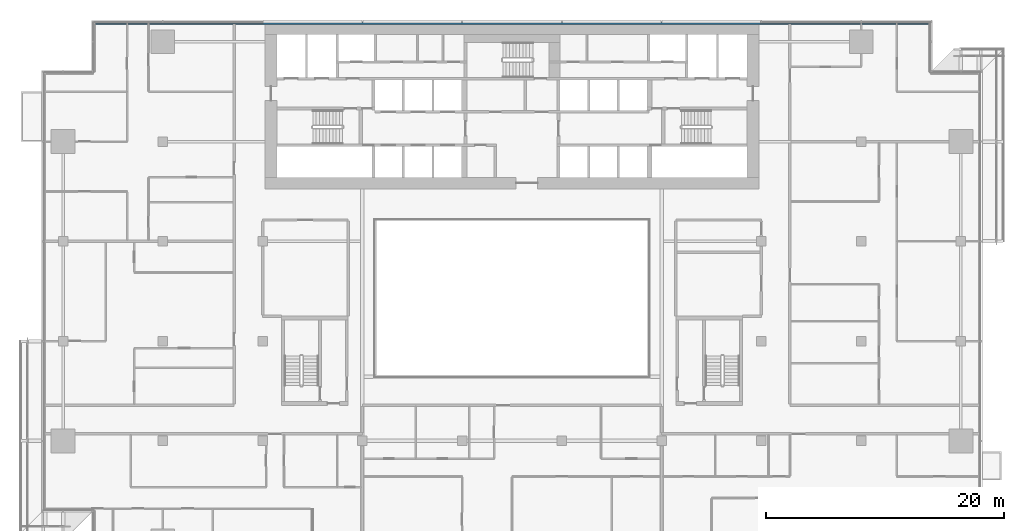
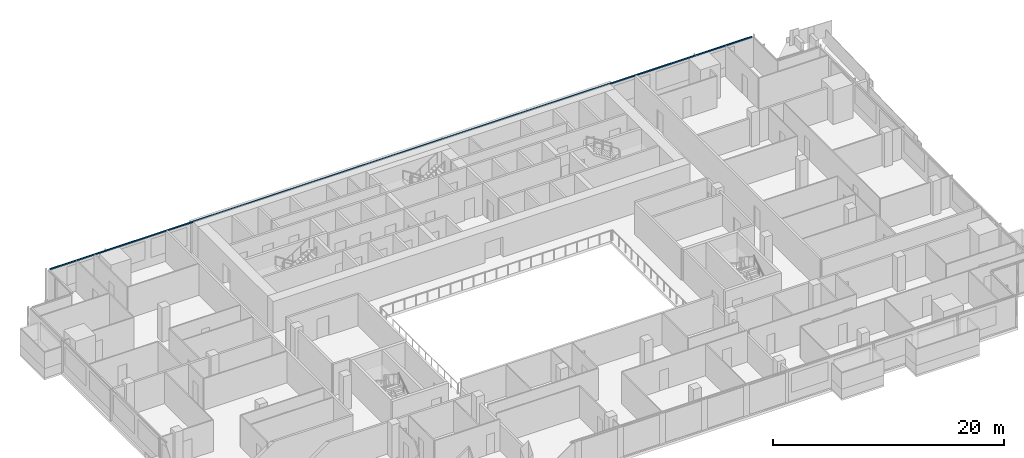
# One storey, part 9 of 29: 1 member, 1 element without a shape of its own.
"""IFC4 building model written with IfcOpenShell, lengths in metres."""

from ifc_helpers import new_model, si_unit, direction, frame, origin, origin_2d, place, context, subcontext, project, spatial, rectangle, extrude, material, material_profile, profile_set, type_object, element, aggregate, save


model = new_model("IFC4")

# Units and contexts
model_context = context("Model", 3, precision=1e-05, world=origin(), true_north=direction((0.0, 1.0)))
body_context = subcontext(model_context, "Body", "Model", "MODEL_VIEW")
ifc_project = project(units=[si_unit("LENGTHUNIT", "METRE"), si_unit("AREAUNIT", "SQUARE_METRE"), si_unit("VOLUMEUNIT", "CUBIC_METRE"), si_unit("PLANEANGLEUNIT", "RADIAN"), si_unit("MASSUNIT", "GRAM", prefix="KILO")], contexts=[model_context])

# Site, building, storey
site_placement = place(None, origin())
site = spatial("IfcSite", under=ifc_project, at=site_placement, CompositionType="ELEMENT")
building_placement = place(site_placement, origin())
building = spatial("IfcBuilding", under=site, at=building_placement, Name="Saffron Gate Tower", CompositionType="ELEMENT")
storey_placement = place(building_placement, frame((0.0, 0.0, 113.25)))
storey = spatial("IfcBuildingStorey", under=building, at=storey_placement, Name="L26", CompositionType="ELEMENT", Elevation=113.25)

# Curtain wall, member
ifc_material = material(Name="Aluminium, bronze anodised", Category="aluminium")
curtain_wall_type = type_object("IfcCurtainWallType", Name="CWS3 curtain wall rear facade", PredefinedType="NOTDEFINED", material=ifc_material)
curtain_wall_placement = place(storey_placement, origin())
curtain_wall = element("IfcCurtainWall", 1, at=curtain_wall_placement, inside=storey, type_object=curtain_wall_type, Name="CWS3 run 7", PredefinedType="NOTDEFINED")
ifc_material_profile = material_profile(ifc_material, rectangle(XDim=0.1201171875, YDim=0.1201171875, at=origin_2d()))
ifc_profile_set = profile_set([ifc_material_profile], Name="Aluminium, bronze anodised")
member_type = type_object("IfcMemberType", Name="CWS3 head transom", PredefinedType="USERDEFINED", material=ifc_profile_set)
member_placement = place(storey_placement, frame((122.632080078125, 75.35205078125, 3.260009765625), z_axis=(-1.0, 0.0, 0.0), x_axis=(0.0, -1.0, 0.0)))
member = element("IfcMember", 2, at=member_placement, type_object=member_type, Name="CWS3 head transom", ObjectType="TRANSOM", PredefinedType="USERDEFINED", context=body_context, shape_type="SweptSolid", body=[
    extrude(rectangle(XDim=0.1201171875, YDim=0.1201171875, at=origin_2d()), origin(), (0.0, 0.0, 1.0), 70.06396484375),
])
aggregate(curtain_wall, [member])

save(model, "model.ifc")
